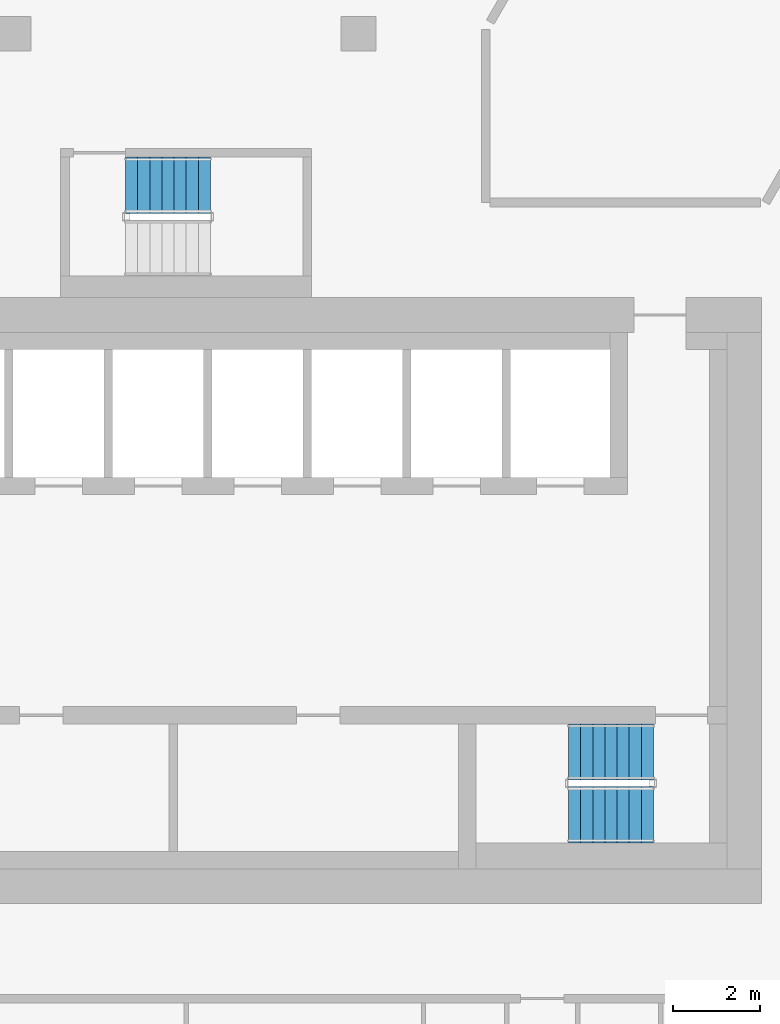
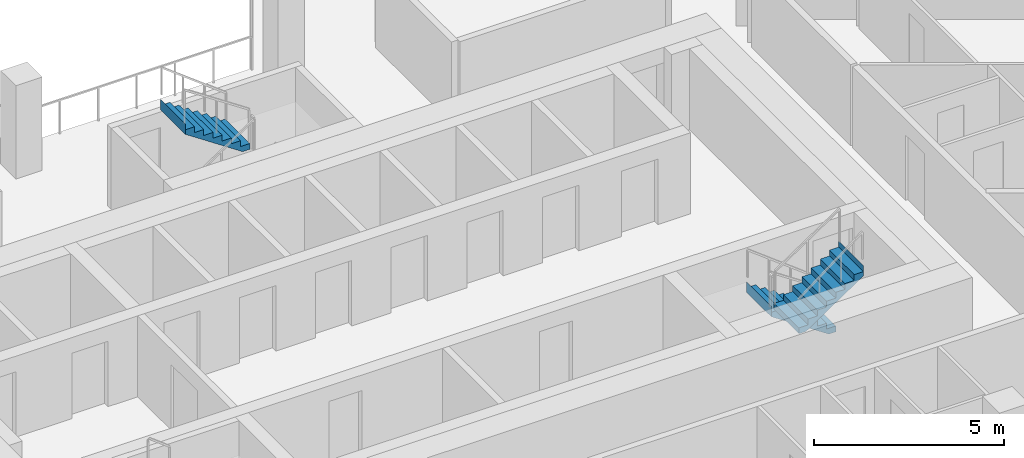
# One storey, part 13 of 17: 3 stair flights, 2 elements without a shape of their own.
"""IFC4 building model written with IfcOpenShell, lengths in metres."""

from ifc_helpers import new_model, si_unit, direction, frame, origin, place, context, subcontext, project, spatial, triangles, material, type_object, element, aggregate, save


model = new_model("IFC4")

# Units and contexts
model_context = context("Model", 3, precision=1e-05, world=origin(), true_north=direction((0.0, 1.0)))
body_context = subcontext(model_context, "Body", "Model", "MODEL_VIEW")
ifc_project = project(units=[si_unit("LENGTHUNIT", "METRE"), si_unit("AREAUNIT", "SQUARE_METRE"), si_unit("VOLUMEUNIT", "CUBIC_METRE"), si_unit("PLANEANGLEUNIT", "RADIAN"), si_unit("MASSUNIT", "GRAM", prefix="KILO")], contexts=[model_context])

# Site, building, storey
site_placement = place(None, origin())
site = spatial("IfcSite", under=ifc_project, at=site_placement, CompositionType="ELEMENT")
building_placement = place(site_placement, origin())
building = spatial("IfcBuilding", under=site, at=building_placement, Name="Beryl Residences", CompositionType="ELEMENT")
storey_placement = place(building_placement, frame((0.0, 0.0, 150.60009765625)))
storey = spatial("IfcBuildingStorey", under=building, at=storey_placement, Name="L46", CompositionType="ELEMENT", Elevation=150.60009765625)

# Stair, stair flights
ifc_material_1 = material(Name="Concrete C40/50", Category="concrete")
stair_type = type_object("IfcStairType", Name="ST1 protected exit stair, half-turn, 1300 mm flights", PredefinedType="HALF_TURN_STAIR", material=ifc_material_1)
stair_1_placement = place(storey_placement, origin())
stair_1 = element("IfcStair", 1, at=stair_1_placement, inside=storey, type_object=stair_type, Name="L46 PROTECTED EXIT STAIR ST-3", PredefinedType="HALF_TURN_STAIR")
ifc_material_2 = material(Name="Concrete C40/50", Category="concrete")
stair_flight_type = type_object("IfcStairFlightType", Name="SF1 stair flight 1300 mm", PredefinedType="STRAIGHT", material=ifc_material_2)
stair_flight_1_placement = place(storey_placement, frame((10.800048828125, -15.5, 0.0), z_axis=(0.0, 0.0, 1.0), x_axis=(-1.0, 0.0, 0.0)))
stair_flight_1 = element("IfcStairFlight", 2, at=stair_flight_1_placement, type_object=stair_flight_type, Name="ST-3 flight 1", NumberOfRisers=8, NumberOfTreads=7, PredefinedType="STRAIGHT", RiserHeight=0.1875, TreadLength=0.28, context=body_context, shape_type="Tessellation", body=[
    triangles([(0.0, -0.64990234375, 0.0), (0.0, -0.324951171875, 0.0), (0.0, 0.0, 0.0), (0.0, 0.324951171875, 0.0), (0.0, 0.64990234375, 0.0), (0.0, -0.64990234375, 0.1875), (0.0, -0.324951171875, 0.1875), (0.0, 0.0, 0.1875), (0.0, 0.324951171875, 0.1875), (0.0, 0.64990234375, 0.1875), (0.280029296875, -0.64990234375, 0.1875), (0.280029296875, -0.324951171875, 0.1875), (0.280029296875, 0.0, 0.1875), (0.280029296875, 0.324951171875, 0.1875), (0.280029296875, 0.64990234375, 0.1875), (0.280029296875, -0.64990234375, 0.375), (0.280029296875, -0.324951171875, 0.375), (0.280029296875, 0.0, 0.375), (0.280029296875, 0.324951171875, 0.375), (0.280029296875, 0.64990234375, 0.375), (0.56005859375, -0.64990234375, 0.375), (0.56005859375, -0.324951171875, 0.375), (0.56005859375, 0.0, 0.375), (0.56005859375, 0.324951171875, 0.375), (0.56005859375, 0.64990234375, 0.375), (0.56005859375, -0.64990234375, 0.5625), (0.56005859375, -0.324951171875, 0.5625), (0.56005859375, 0.0, 0.5625), (0.56005859375, 0.324951171875, 0.5625), (0.56005859375, 0.64990234375, 0.5625), (0.840087890625, -0.64990234375, 0.5625), (0.840087890625, -0.324951171875, 0.5625), (0.840087890625, 0.0, 0.5625), (0.840087890625, 0.324951171875, 0.5625), (0.840087890625, 0.64990234375, 0.5625), (0.840087890625, -0.64990234375, 0.75), (0.840087890625, -0.324951171875, 0.75), (0.840087890625, 0.0, 0.75), (0.840087890625, 0.324951171875, 0.75), (0.840087890625, 0.64990234375, 0.75), (1.1201171875, -0.64990234375, 0.75), (1.1201171875, -0.324951171875, 0.75), (1.1201171875, 0.0, 0.75), (1.1201171875, 0.324951171875, 0.75), (1.1201171875, 0.64990234375, 0.75), (1.1201171875, -0.64990234375, 0.9375), (1.1201171875, -0.324951171875, 0.9375), (1.1201171875, 0.0, 0.9375), (1.1201171875, 0.324951171875, 0.9375), (1.1201171875, 0.64990234375, 0.9375), (1.39990234375, -0.64990234375, 0.9375), (1.39990234375, -0.324951171875, 0.9375), (1.39990234375, 0.0, 0.9375), (1.39990234375, 0.324951171875, 0.9375), (1.39990234375, 0.64990234375, 0.9375), (1.39990234375, -0.64990234375, 1.125), (1.39990234375, -0.324951171875, 1.125), (1.39990234375, 0.0, 1.125), (1.39990234375, 0.324951171875, 1.125), (1.39990234375, 0.64990234375, 1.125), (1.679931640625, -0.64990234375, 1.125), (1.679931640625, -0.324951171875, 1.125), (1.679931640625, 0.0, 1.125), (1.679931640625, 0.324951171875, 1.125), (1.679931640625, 0.64990234375, 1.125), (1.679931640625, -0.64990234375, 1.3125), (1.679931640625, -0.324951171875, 1.3125), (1.679931640625, 0.0, 1.3125), (1.679931640625, 0.324951171875, 1.3125), (1.679931640625, 0.64990234375, 1.3125), (1.9599609375, -0.64990234375, 1.3125), (1.9599609375, -0.324951171875, 1.3125), (1.9599609375, 0.0, 1.3125), (1.9599609375, 0.324951171875, 1.3125), (1.9599609375, 0.64990234375, 1.3125), (1.9599609375, -0.64990234375, 1.5), (1.9599609375, -0.324951171875, 1.5), (1.9599609375, 0.0, 1.5), (1.9599609375, 0.324951171875, 1.5), (1.9599609375, 0.64990234375, 1.5), (1.9609375, -0.64990234375, 1.5), (1.9609375, -0.324951171875, 1.5), (1.9609375, 0.0, 1.5), (1.9609375, 0.324951171875, 1.5), (1.9609375, 0.64990234375, 1.5), (1.9609375, -0.64990234375, 1.16796875), (1.9609375, -0.324951171875, 1.16796875), (1.9609375, 0.0, 1.16796875), (1.9609375, 0.324951171875, 1.16796875), (1.9609375, 0.64990234375, 1.16796875), (0.216796875, -0.64990234375, 0.0), (0.216796875, -0.324951171875, 0.0), (0.216796875, 0.0, 0.0), (0.216796875, 0.324951171875, 0.0), (0.216796875, 0.64990234375, 0.0)], [[1, 6, 7], [1, 7, 2], [2, 7, 8], [2, 8, 3], [3, 8, 9], [3, 9, 4], [4, 9, 10], [4, 10, 5], [6, 11, 12], [6, 12, 7], [7, 12, 13], [7, 13, 8], [8, 13, 14], [8, 14, 9], [9, 14, 15], [9, 15, 10], [11, 16, 17], [11, 17, 12], [12, 17, 18], [12, 18, 13], [13, 18, 19], [13, 19, 14], [14, 19, 20], [14, 20, 15], [16, 21, 22], [16, 22, 17], [17, 22, 23], [17, 23, 18], [18, 23, 24], [18, 24, 19], [19, 24, 25], [19, 25, 20], [21, 26, 27], [21, 27, 22], [22, 27, 28], [22, 28, 23], [23, 28, 29], [23, 29, 24], [24, 29, 30], [24, 30, 25], [26, 31, 32], [26, 32, 27], [27, 32, 33], [27, 33, 28], [28, 33, 34], [28, 34, 29], [29, 34, 35], [29, 35, 30], [31, 36, 37], [31, 37, 32], [32, 37, 38], [32, 38, 33], [33, 38, 39], [33, 39, 34], [34, 39, 40], [34, 40, 35], [36, 41, 42], [36, 42, 37], [37, 42, 43], [37, 43, 38], [38, 43, 44], [38, 44, 39], [39, 44, 45], [39, 45, 40], [41, 46, 47], [41, 47, 42], [42, 47, 48], [42, 48, 43], [43, 48, 49], [43, 49, 44], [44, 49, 50], [44, 50, 45], [46, 51, 52], [46, 52, 47], [47, 52, 53], [47, 53, 48], [48, 53, 54], [48, 54, 49], [49, 54, 55], [49, 55, 50], [51, 56, 57], [51, 57, 52], [52, 57, 58], [52, 58, 53], [53, 58, 59], [53, 59, 54], [54, 59, 60], [54, 60, 55], [56, 61, 62], [56, 62, 57], [57, 62, 63], [57, 63, 58], [58, 63, 64], [58, 64, 59], [59, 64, 65], [59, 65, 60], [61, 66, 67], [61, 67, 62], [62, 67, 68], [62, 68, 63], [63, 68, 69], [63, 69, 64], [64, 69, 70], [64, 70, 65], [66, 71, 72], [66, 72, 67], [67, 72, 73], [67, 73, 68], [68, 73, 74], [68, 74, 69], [69, 74, 75], [69, 75, 70], [71, 76, 77], [71, 77, 72], [72, 77, 78], [72, 78, 73], [73, 78, 79], [73, 79, 74], [74, 79, 80], [74, 80, 75], [76, 81, 82], [76, 82, 77], [77, 82, 83], [77, 83, 78], [78, 83, 84], [78, 84, 79], [79, 84, 85], [79, 85, 80], [81, 86, 87], [81, 87, 82], [82, 87, 88], [82, 88, 83], [83, 88, 89], [83, 89, 84], [84, 89, 90], [84, 90, 85], [86, 91, 92], [86, 92, 87], [87, 92, 93], [87, 93, 88], [88, 93, 94], [88, 94, 89], [89, 94, 95], [89, 95, 90], [91, 1, 2], [91, 2, 92], [92, 2, 3], [92, 3, 93], [93, 3, 4], [93, 4, 94], [94, 4, 5], [94, 5, 95], [1, 91, 86], [5, 90, 95], [86, 81, 76], [90, 80, 85], [86, 76, 71], [90, 75, 80], [86, 71, 66], [90, 70, 75], [86, 66, 61], [90, 65, 70], [61, 56, 51], [65, 55, 60], [86, 61, 51], [90, 55, 65], [51, 46, 41], [55, 45, 50], [86, 51, 41], [90, 45, 55], [41, 36, 31], [45, 35, 40], [86, 41, 31], [90, 35, 45], [31, 26, 21], [35, 25, 30], [86, 31, 21], [90, 25, 35], [21, 16, 11], [25, 15, 20], [86, 21, 11], [90, 15, 25], [1, 86, 11], [5, 15, 90], [11, 6, 1], [15, 5, 10]], closed=True),
])
stair_flight_2_placement = place(storey_placement, frame((8.840087890625, -16.949951171875, 1.5), z_axis=(0.0, 0.0, 1.0), x_axis=(1.0, 0.0, 0.0)))
stair_flight_2 = element("IfcStairFlight", 3, at=stair_flight_2_placement, type_object=stair_flight_type, Name="ST-3 flight 2", NumberOfRisers=8, NumberOfTreads=7, PredefinedType="STRAIGHT", RiserHeight=0.1875, TreadLength=0.28, context=body_context, shape_type="Tessellation", body=[
    triangles([(0.0, -0.64990234375, 0.0), (0.0, -0.324951171875, 0.0), (0.0, 0.0, 0.0), (0.0, 0.324951171875, 0.0), (0.0, 0.64990234375, 0.0), (0.0, -0.64990234375, 0.1875), (0.0, -0.324951171875, 0.1875), (0.0, 0.0, 0.1875), (0.0, 0.324951171875, 0.1875), (0.0, 0.64990234375, 0.1875), (0.280029296875, -0.64990234375, 0.1875), (0.280029296875, -0.324951171875, 0.1875), (0.280029296875, 0.0, 0.1875), (0.280029296875, 0.324951171875, 0.1875), (0.280029296875, 0.64990234375, 0.1875), (0.280029296875, -0.64990234375, 0.375), (0.280029296875, -0.324951171875, 0.375), (0.280029296875, 0.0, 0.375), (0.280029296875, 0.324951171875, 0.375), (0.280029296875, 0.64990234375, 0.375), (0.56005859375, -0.64990234375, 0.375), (0.56005859375, -0.324951171875, 0.375), (0.56005859375, 0.0, 0.375), (0.56005859375, 0.324951171875, 0.375), (0.56005859375, 0.64990234375, 0.375), (0.56005859375, -0.64990234375, 0.5625), (0.56005859375, -0.324951171875, 0.5625), (0.56005859375, 0.0, 0.5625), (0.56005859375, 0.324951171875, 0.5625), (0.56005859375, 0.64990234375, 0.5625), (0.840087890625, -0.64990234375, 0.5625), (0.840087890625, -0.324951171875, 0.5625), (0.840087890625, 0.0, 0.5625), (0.840087890625, 0.324951171875, 0.5625), (0.840087890625, 0.64990234375, 0.5625), (0.840087890625, -0.64990234375, 0.75), (0.840087890625, -0.324951171875, 0.75), (0.840087890625, 0.0, 0.75), (0.840087890625, 0.324951171875, 0.75), (0.840087890625, 0.64990234375, 0.75), (1.1201171875, -0.64990234375, 0.75), (1.1201171875, -0.324951171875, 0.75), (1.1201171875, 0.0, 0.75), (1.1201171875, 0.324951171875, 0.75), (1.1201171875, 0.64990234375, 0.75), (1.1201171875, -0.64990234375, 0.9375), (1.1201171875, -0.324951171875, 0.9375), (1.1201171875, 0.0, 0.9375), (1.1201171875, 0.324951171875, 0.9375), (1.1201171875, 0.64990234375, 0.9375), (1.39990234375, -0.64990234375, 0.9375), (1.39990234375, -0.324951171875, 0.9375), (1.39990234375, 0.0, 0.9375), (1.39990234375, 0.324951171875, 0.9375), (1.39990234375, 0.64990234375, 0.9375), (1.39990234375, -0.64990234375, 1.125), (1.39990234375, -0.324951171875, 1.125), (1.39990234375, 0.0, 1.125), (1.39990234375, 0.324951171875, 1.125), (1.39990234375, 0.64990234375, 1.125), (1.679931640625, -0.64990234375, 1.125), (1.679931640625, -0.324951171875, 1.125), (1.679931640625, 0.0, 1.125), (1.679931640625, 0.324951171875, 1.125), (1.679931640625, 0.64990234375, 1.125), (1.679931640625, -0.64990234375, 1.3125), (1.679931640625, -0.324951171875, 1.3125), (1.679931640625, 0.0, 1.3125), (1.679931640625, 0.324951171875, 1.3125), (1.679931640625, 0.64990234375, 1.3125), (1.9599609375, -0.64990234375, 1.3125), (1.9599609375, -0.324951171875, 1.3125), (1.9599609375, 0.0, 1.3125), (1.9599609375, 0.324951171875, 1.3125), (1.9599609375, 0.64990234375, 1.3125), (1.9599609375, -0.64990234375, 1.5), (1.9599609375, -0.324951171875, 1.5), (1.9599609375, 0.0, 1.5), (1.9599609375, 0.324951171875, 1.5), (1.9599609375, 0.64990234375, 1.5), (1.9609375, -0.64990234375, 1.5), (1.9609375, -0.324951171875, 1.5), (1.9609375, 0.0, 1.5), (1.9609375, 0.324951171875, 1.5), (1.9609375, 0.64990234375, 1.5), (1.9609375, -0.64990234375, 1.16796875), (1.9609375, -0.324951171875, 1.16796875), (1.9609375, 0.0, 1.16796875), (1.9609375, 0.324951171875, 1.16796875), (1.9609375, 0.64990234375, 1.16796875), (0.216796875, -0.64990234375, 0.0), (0.216796875, -0.324951171875, 0.0), (0.216796875, 0.0, 0.0), (0.216796875, 0.324951171875, 0.0), (0.216796875, 0.64990234375, 0.0)], [[1, 6, 7], [1, 7, 2], [2, 7, 8], [2, 8, 3], [3, 8, 9], [3, 9, 4], [4, 9, 10], [4, 10, 5], [6, 11, 12], [6, 12, 7], [7, 12, 13], [7, 13, 8], [8, 13, 14], [8, 14, 9], [9, 14, 15], [9, 15, 10], [11, 16, 17], [11, 17, 12], [12, 17, 18], [12, 18, 13], [13, 18, 19], [13, 19, 14], [14, 19, 20], [14, 20, 15], [16, 21, 22], [16, 22, 17], [17, 22, 23], [17, 23, 18], [18, 23, 24], [18, 24, 19], [19, 24, 25], [19, 25, 20], [21, 26, 27], [21, 27, 22], [22, 27, 28], [22, 28, 23], [23, 28, 29], [23, 29, 24], [24, 29, 30], [24, 30, 25], [26, 31, 32], [26, 32, 27], [27, 32, 33], [27, 33, 28], [28, 33, 34], [28, 34, 29], [29, 34, 35], [29, 35, 30], [31, 36, 37], [31, 37, 32], [32, 37, 38], [32, 38, 33], [33, 38, 39], [33, 39, 34], [34, 39, 40], [34, 40, 35], [36, 41, 42], [36, 42, 37], [37, 42, 43], [37, 43, 38], [38, 43, 44], [38, 44, 39], [39, 44, 45], [39, 45, 40], [41, 46, 47], [41, 47, 42], [42, 47, 48], [42, 48, 43], [43, 48, 49], [43, 49, 44], [44, 49, 50], [44, 50, 45], [46, 51, 52], [46, 52, 47], [47, 52, 53], [47, 53, 48], [48, 53, 54], [48, 54, 49], [49, 54, 55], [49, 55, 50], [51, 56, 57], [51, 57, 52], [52, 57, 58], [52, 58, 53], [53, 58, 59], [53, 59, 54], [54, 59, 60], [54, 60, 55], [56, 61, 62], [56, 62, 57], [57, 62, 63], [57, 63, 58], [58, 63, 64], [58, 64, 59], [59, 64, 65], [59, 65, 60], [61, 66, 67], [61, 67, 62], [62, 67, 68], [62, 68, 63], [63, 68, 69], [63, 69, 64], [64, 69, 70], [64, 70, 65], [66, 71, 72], [66, 72, 67], [67, 72, 73], [67, 73, 68], [68, 73, 74], [68, 74, 69], [69, 74, 75], [69, 75, 70], [71, 76, 77], [71, 77, 72], [72, 77, 78], [72, 78, 73], [73, 78, 79], [73, 79, 74], [74, 79, 80], [74, 80, 75], [76, 81, 82], [76, 82, 77], [77, 82, 83], [77, 83, 78], [78, 83, 84], [78, 84, 79], [79, 84, 85], [79, 85, 80], [81, 86, 87], [81, 87, 82], [82, 87, 88], [82, 88, 83], [83, 88, 89], [83, 89, 84], [84, 89, 90], [84, 90, 85], [86, 91, 92], [86, 92, 87], [87, 92, 93], [87, 93, 88], [88, 93, 94], [88, 94, 89], [89, 94, 95], [89, 95, 90], [91, 1, 2], [91, 2, 92], [92, 2, 3], [92, 3, 93], [93, 3, 4], [93, 4, 94], [94, 4, 5], [94, 5, 95], [1, 91, 86], [5, 90, 95], [86, 81, 76], [90, 80, 85], [86, 76, 71], [90, 75, 80], [86, 71, 66], [90, 70, 75], [86, 66, 61], [90, 65, 70], [61, 56, 51], [65, 55, 60], [86, 61, 51], [90, 55, 65], [51, 46, 41], [55, 45, 50], [86, 51, 41], [90, 45, 55], [41, 36, 31], [45, 35, 40], [86, 41, 31], [90, 35, 45], [31, 26, 21], [35, 25, 30], [86, 31, 21], [90, 25, 35], [21, 16, 11], [25, 15, 20], [86, 21, 11], [90, 15, 25], [1, 86, 11], [5, 15, 90], [11, 6, 1], [15, 5, 10]], closed=True),
])
aggregate(stair_1, [stair_flight_1, stair_flight_2])

# Stair, stair flight
stair_2_placement = place(storey_placement, origin())
stair_2 = element("IfcStair", 4, at=stair_2_placement, inside=storey, type_object=stair_type, Name="L46 PROTECTED EXIT STAIR ST-4", PredefinedType="HALF_TURN_STAIR")
stair_flight_3_placement = place(storey_placement, frame((0.56005859375, -2.39990234375, 1.5), z_axis=(0.0, 0.0, 1.0), x_axis=(-1.0, 0.0, 0.0)))
stair_flight_3 = element("IfcStairFlight", 5, at=stair_flight_3_placement, type_object=stair_flight_type, Name="ST-4 flight 2", NumberOfRisers=8, NumberOfTreads=7, PredefinedType="STRAIGHT", RiserHeight=0.1875, TreadLength=0.28, context=body_context, shape_type="Tessellation", body=[
    triangles([(0.0, -0.64990234375, 0.0), (0.0, -0.324951171875, 0.0), (0.0, 0.0, 0.0), (0.0, 0.324951171875, 0.0), (0.0, 0.64990234375, 0.0), (0.0, -0.64990234375, 0.1875), (0.0, -0.324951171875, 0.1875), (0.0, 0.0, 0.1875), (0.0, 0.324951171875, 0.1875), (0.0, 0.64990234375, 0.1875), (0.280029296875, -0.64990234375, 0.1875), (0.280029296875, -0.324951171875, 0.1875), (0.280029296875, 0.0, 0.1875), (0.280029296875, 0.324951171875, 0.1875), (0.280029296875, 0.64990234375, 0.1875), (0.280029296875, -0.64990234375, 0.375), (0.280029296875, -0.324951171875, 0.375), (0.280029296875, 0.0, 0.375), (0.280029296875, 0.324951171875, 0.375), (0.280029296875, 0.64990234375, 0.375), (0.56005859375, -0.64990234375, 0.375), (0.56005859375, -0.324951171875, 0.375), (0.56005859375, 0.0, 0.375), (0.56005859375, 0.324951171875, 0.375), (0.56005859375, 0.64990234375, 0.375), (0.56005859375, -0.64990234375, 0.5625), (0.56005859375, -0.324951171875, 0.5625), (0.56005859375, 0.0, 0.5625), (0.56005859375, 0.324951171875, 0.5625), (0.56005859375, 0.64990234375, 0.5625), (0.840087890625, -0.64990234375, 0.5625), (0.840087890625, -0.324951171875, 0.5625), (0.840087890625, 0.0, 0.5625), (0.840087890625, 0.324951171875, 0.5625), (0.840087890625, 0.64990234375, 0.5625), (0.840087890625, -0.64990234375, 0.75), (0.840087890625, -0.324951171875, 0.75), (0.840087890625, 0.0, 0.75), (0.840087890625, 0.324951171875, 0.75), (0.840087890625, 0.64990234375, 0.75), (1.1201171875, -0.64990234375, 0.75), (1.1201171875, -0.324951171875, 0.75), (1.1201171875, 0.0, 0.75), (1.1201171875, 0.324951171875, 0.75), (1.1201171875, 0.64990234375, 0.75), (1.1201171875, -0.64990234375, 0.9375), (1.1201171875, -0.324951171875, 0.9375), (1.1201171875, 0.0, 0.9375), (1.1201171875, 0.324951171875, 0.9375), (1.1201171875, 0.64990234375, 0.9375), (1.39990234375, -0.64990234375, 0.9375), (1.39990234375, -0.324951171875, 0.9375), (1.39990234375, 0.0, 0.9375), (1.39990234375, 0.324951171875, 0.9375), (1.39990234375, 0.64990234375, 0.9375), (1.39990234375, -0.64990234375, 1.125), (1.39990234375, -0.324951171875, 1.125), (1.39990234375, 0.0, 1.125), (1.39990234375, 0.324951171875, 1.125), (1.39990234375, 0.64990234375, 1.125), (1.679931640625, -0.64990234375, 1.125), (1.679931640625, -0.324951171875, 1.125), (1.679931640625, 0.0, 1.125), (1.679931640625, 0.324951171875, 1.125), (1.679931640625, 0.64990234375, 1.125), (1.679931640625, -0.64990234375, 1.3125), (1.679931640625, -0.324951171875, 1.3125), (1.679931640625, 0.0, 1.3125), (1.679931640625, 0.324951171875, 1.3125), (1.679931640625, 0.64990234375, 1.3125), (1.9599609375, -0.64990234375, 1.3125), (1.9599609375, -0.324951171875, 1.3125), (1.9599609375, 0.0, 1.3125), (1.9599609375, 0.324951171875, 1.3125), (1.9599609375, 0.64990234375, 1.3125), (1.9599609375, -0.64990234375, 1.5), (1.9599609375, -0.324951171875, 1.5), (1.9599609375, 0.0, 1.5), (1.9599609375, 0.324951171875, 1.5), (1.9599609375, 0.64990234375, 1.5), (1.9609375, -0.64990234375, 1.5), (1.9609375, -0.324951171875, 1.5), (1.9609375, 0.0, 1.5), (1.9609375, 0.324951171875, 1.5), (1.9609375, 0.64990234375, 1.5), (1.9609375, -0.64990234375, 1.16796875), (1.9609375, -0.324951171875, 1.16796875), (1.9609375, 0.0, 1.16796875), (1.9609375, 0.324951171875, 1.16796875), (1.9609375, 0.64990234375, 1.16796875), (0.216796875, -0.64990234375, 0.0), (0.216796875, -0.324951171875, 0.0), (0.216796875, 0.0, 0.0), (0.216796875, 0.324951171875, 0.0), (0.216796875, 0.64990234375, 0.0)], [[1, 6, 7], [1, 7, 2], [2, 7, 8], [2, 8, 3], [3, 8, 9], [3, 9, 4], [4, 9, 10], [4, 10, 5], [6, 11, 12], [6, 12, 7], [7, 12, 13], [7, 13, 8], [8, 13, 14], [8, 14, 9], [9, 14, 15], [9, 15, 10], [11, 16, 17], [11, 17, 12], [12, 17, 18], [12, 18, 13], [13, 18, 19], [13, 19, 14], [14, 19, 20], [14, 20, 15], [16, 21, 22], [16, 22, 17], [17, 22, 23], [17, 23, 18], [18, 23, 24], [18, 24, 19], [19, 24, 25], [19, 25, 20], [21, 26, 27], [21, 27, 22], [22, 27, 28], [22, 28, 23], [23, 28, 29], [23, 29, 24], [24, 29, 30], [24, 30, 25], [26, 31, 32], [26, 32, 27], [27, 32, 33], [27, 33, 28], [28, 33, 34], [28, 34, 29], [29, 34, 35], [29, 35, 30], [31, 36, 37], [31, 37, 32], [32, 37, 38], [32, 38, 33], [33, 38, 39], [33, 39, 34], [34, 39, 40], [34, 40, 35], [36, 41, 42], [36, 42, 37], [37, 42, 43], [37, 43, 38], [38, 43, 44], [38, 44, 39], [39, 44, 45], [39, 45, 40], [41, 46, 47], [41, 47, 42], [42, 47, 48], [42, 48, 43], [43, 48, 49], [43, 49, 44], [44, 49, 50], [44, 50, 45], [46, 51, 52], [46, 52, 47], [47, 52, 53], [47, 53, 48], [48, 53, 54], [48, 54, 49], [49, 54, 55], [49, 55, 50], [51, 56, 57], [51, 57, 52], [52, 57, 58], [52, 58, 53], [53, 58, 59], [53, 59, 54], [54, 59, 60], [54, 60, 55], [56, 61, 62], [56, 62, 57], [57, 62, 63], [57, 63, 58], [58, 63, 64], [58, 64, 59], [59, 64, 65], [59, 65, 60], [61, 66, 67], [61, 67, 62], [62, 67, 68], [62, 68, 63], [63, 68, 69], [63, 69, 64], [64, 69, 70], [64, 70, 65], [66, 71, 72], [66, 72, 67], [67, 72, 73], [67, 73, 68], [68, 73, 74], [68, 74, 69], [69, 74, 75], [69, 75, 70], [71, 76, 77], [71, 77, 72], [72, 77, 78], [72, 78, 73], [73, 78, 79], [73, 79, 74], [74, 79, 80], [74, 80, 75], [76, 81, 82], [76, 82, 77], [77, 82, 83], [77, 83, 78], [78, 83, 84], [78, 84, 79], [79, 84, 85], [79, 85, 80], [81, 86, 87], [81, 87, 82], [82, 87, 88], [82, 88, 83], [83, 88, 89], [83, 89, 84], [84, 89, 90], [84, 90, 85], [86, 91, 92], [86, 92, 87], [87, 92, 93], [87, 93, 88], [88, 93, 94], [88, 94, 89], [89, 94, 95], [89, 95, 90], [91, 1, 2], [91, 2, 92], [92, 2, 3], [92, 3, 93], [93, 3, 4], [93, 4, 94], [94, 4, 5], [94, 5, 95], [1, 91, 86], [5, 90, 95], [86, 81, 76], [90, 80, 85], [86, 76, 71], [90, 75, 80], [86, 71, 66], [90, 70, 75], [86, 66, 61], [90, 65, 70], [61, 56, 51], [65, 55, 60], [86, 61, 51], [90, 55, 65], [51, 46, 41], [55, 45, 50], [86, 51, 41], [90, 45, 55], [41, 36, 31], [45, 35, 40], [86, 41, 31], [90, 35, 45], [31, 26, 21], [35, 25, 30], [86, 31, 21], [90, 25, 35], [21, 16, 11], [25, 15, 20], [86, 21, 11], [90, 15, 25], [1, 86, 11], [5, 15, 90], [11, 6, 1], [15, 5, 10]], closed=True),
])
aggregate(stair_2, [stair_flight_3])

save(model, "model.ifc")
